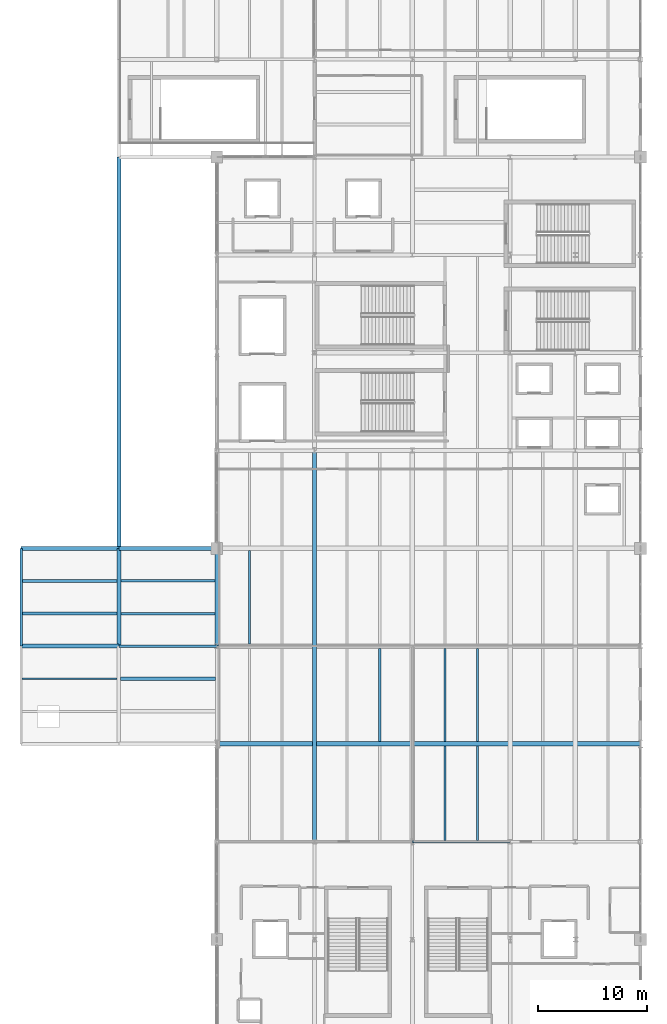
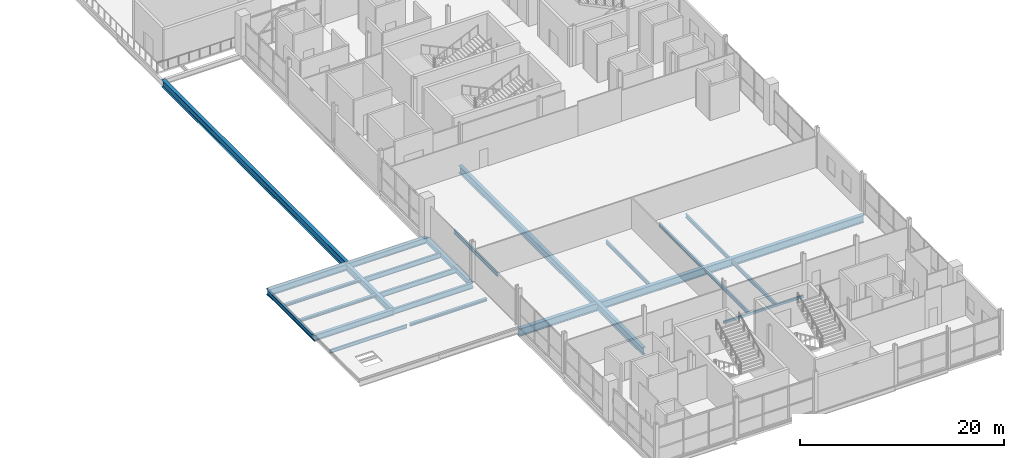
# One storey, part 11 of 50: 23 beams.
"""IFC4 building model written with IfcOpenShell, lengths in metres."""

from ifc_helpers import new_model, si_unit, direction, frame, origin, origin_2d, place, context, subcontext, project, spatial, hollow_rectangle, i_section, extrude, material, material_profile, profile_set, type_object, element, save


model = new_model("IFC4")

# Units and contexts
model_context = context("Model", 3, precision=1e-05, world=origin(), true_north=direction((0.0, 1.0)))
body_context = subcontext(model_context, "Body", "Model", "MODEL_VIEW")
ifc_project = project(units=[si_unit("LENGTHUNIT", "METRE"), si_unit("AREAUNIT", "SQUARE_METRE"), si_unit("VOLUMEUNIT", "CUBIC_METRE"), si_unit("PLANEANGLEUNIT", "RADIAN"), si_unit("MASSUNIT", "GRAM", prefix="KILO")], contexts=[model_context])

# Site, building, storey
site_placement = place(None, origin())
site = spatial("IfcSite", under=ifc_project, at=site_placement, CompositionType="ELEMENT")
building_placement = place(site_placement, origin())
building = spatial("IfcBuilding", under=site, at=building_placement, Name="Qamarlyn Nura Convention Centre", CompositionType="ELEMENT")
storey_placement = place(building_placement, frame((0.0, 0.0, 20.39990234375)))
storey = spatial("IfcBuildingStorey", under=building, at=storey_placement, Name="L04", CompositionType="ELEMENT", Elevation=20.39990234375)

# Beams
ifc_material_1 = material(Name="Steel ASTM A992", Category="steel")
ifc_material_profile_1 = material_profile(ifc_material_1, i_section(OverallWidth=0.323974609375, OverallDepth=0.611083984375, WebThickness=0.0126953125, FlangeThickness=0.01904296875, FilletRadius=0.01611328125, at=origin_2d()), Name="W610X155")
ifc_profile_set_1 = profile_set([ifc_material_profile_1], Name="Steel ASTM A992")
beam_type_1 = type_object("IfcBeamType", Name="BM-GIRD-610", PredefinedType="BEAM", material=ifc_profile_set_1)
beam_1_placement = place(storey_placement, frame((153.0, 36.0, -0.50537109375), z_axis=(0.0, 1.0, 0.0), x_axis=(-1.0, 0.0, 0.0)))
element("IfcBeam", 1, at=beam_1_placement, inside=storey, type_object=beam_type_1, Name="L04 girder 13 E-F", PredefinedType="BEAM", context=body_context, shape_type="SweptSolid", body=[
    extrude(i_section(OverallWidth=0.323974609375, OverallDepth=0.611083984375, WebThickness=0.0126953125, FlangeThickness=0.01904296875, FilletRadius=0.01611328125, at=origin_2d()), origin(), (0.0, 0.0, 1.0), 9.0),
])
ifc_material_profile_2 = material_profile(ifc_material_1, i_section(OverallWidth=0.35498046875, OverallDepth=0.695068359375, WebThickness=0.015380859375, FlangeThickness=0.02490234375, FilletRadius=0.01806640625, at=origin_2d()), Name="W690X217")
ifc_profile_set_2 = profile_set([ifc_material_profile_2], Name="Steel ASTM A992")
beam_type_2 = type_object("IfcBeamType", Name="BM-GIRD-690A", PredefinedType="BEAM", material=ifc_profile_set_2)
for number, where, z_axis, x_axis, name in (
    (2, (135.0, 36.0, -0.50732421875), (1.0, 0.0, 0.0), (0.0, 1.0, 0.0), "L04 girder E 11-12"),
    (3, (144.0, 45.0, -0.50732421875), (1.0, 0.0, 0.0), (0.0, 1.0, 0.0), "L04 girder F 12-13"),
):
    element("IfcBeam", number, at=place(storey_placement, frame(where, z_axis=z_axis, x_axis=x_axis)), inside=storey, type_object=beam_type_2, Name=name, PredefinedType="BEAM", context=body_context, shape_type="SweptSolid", body=[
        extrude(i_section(OverallWidth=0.35498046875, OverallDepth=0.695068359375, WebThickness=0.015380859375, FlangeThickness=0.02490234375, FilletRadius=0.01806640625, at=origin_2d()), origin(), (0.0, 0.0, 1.0), 9.0),
    ])
ifc_material_profile_3 = material_profile(ifc_material_1, i_section(OverallWidth=0.25390625, OverallDepth=0.68408203125, WebThickness=0.012451171875, FlangeThickness=0.01904296875, FilletRadius=0.01806640625, at=origin_2d()), Name="W690X140")
ifc_profile_set_3 = profile_set([ifc_material_profile_3], Name="Steel ASTM A992")
beam_type_3 = type_object("IfcBeamType", Name="BM-GIRD-690B", PredefinedType="BEAM", material=ifc_profile_set_3)
beam_2_placement = place(storey_placement, frame((144.0, 36.0, -0.501953125), z_axis=(1.0, 0.0, 0.0), x_axis=(0.0, 1.0, 0.0)))
element("IfcBeam", 4, at=beam_2_placement, inside=storey, type_object=beam_type_3, Name="L04 girder E 12-13", PredefinedType="BEAM", context=body_context, shape_type="SweptSolid", body=[
    extrude(i_section(OverallWidth=0.25390625, OverallDepth=0.68408203125, WebThickness=0.012451171875, FlangeThickness=0.01904296875, FilletRadius=0.01806640625, at=origin_2d()), origin(), (0.0, 0.0, 1.0), 9.0),
])
ifc_material_profile_4 = material_profile(ifc_material_1, i_section(OverallWidth=0.381103515625, OverallDepth=0.77294921875, WebThickness=0.0166015625, FlangeThickness=0.027587890625, FilletRadius=0.02001953125, at=origin_2d()), Name="W760X257")
ifc_profile_set_4 = profile_set([ifc_material_profile_4], Name="Steel ASTM A992")
beam_type_4 = type_object("IfcBeamType", Name="BM-GIRD-760", PredefinedType="BEAM", material=ifc_profile_set_4)
for number, where, z_axis, x_axis, name in (
    (5, (135.0, 45.0, -0.54638671875), (1.0, 0.0, 0.0), (0.0, 1.0, 0.0), "L04 girder F 11-12"),
    (6, (144.0, 36.0, -0.54638671875), (0.0, 1.0, 0.0), (-1.0, 0.0, 0.0), "L04 girder 12 E-F"),
):
    element("IfcBeam", number, at=place(storey_placement, frame(where, z_axis=z_axis, x_axis=x_axis)), inside=storey, type_object=beam_type_4, Name=name, PredefinedType="BEAM", context=body_context, shape_type="SweptSolid", body=[
        extrude(i_section(OverallWidth=0.381103515625, OverallDepth=0.77294921875, WebThickness=0.0166015625, FlangeThickness=0.027587890625, FilletRadius=0.02001953125, at=origin_2d()), origin(), (0.0, 0.0, 1.0), 9.0),
    ])
ifc_material_profile_5 = material_profile(ifc_material_1, i_section(OverallWidth=0.39990234375, OverallDepth=0.85498046875, WebThickness=0.018310546875, FlangeThickness=0.029296875, FilletRadius=0.02197265625, at=origin_2d()), Name="W840X299")
ifc_profile_set_5 = profile_set([ifc_material_profile_5], Name="Steel ASTM A992")
beam_type_5 = type_object("IfcBeamType", Name="BM-GIRD-840", PredefinedType="BEAM", material=ifc_profile_set_5)
for number, where, z_axis, x_axis, name in (
    (7, (144.0, 45.0, -0.427490234375), (0.0, 1.0, 0.0), (-1.0, 0.0, 0.0), "L04 girder 12 F-K"),
    (8, (162.0, 18.0, -0.62744140625), (0.0, 1.0, 0.0), (-1.0, 0.0, 0.0), "L04 girder 14 C-G"),
):
    element("IfcBeam", number, at=place(storey_placement, frame(where, z_axis=z_axis, x_axis=x_axis)), inside=storey, type_object=beam_type_5, Name=name, PredefinedType="BEAM", context=body_context, shape_type="SweptSolid", body=[
        extrude(i_section(OverallWidth=0.39990234375, OverallDepth=0.85498046875, WebThickness=0.018310546875, FlangeThickness=0.029296875, FilletRadius=0.02197265625, at=origin_2d()), origin(), (0.0, 0.0, 1.0), 36.0),
    ])
ifc_material_profile_6 = material_profile(ifc_material_1, i_section(OverallWidth=0.41796875, OverallDepth=0.912109375, WebThickness=0.019287109375, FlangeThickness=0.031982421875, FilletRadius=0.02392578125, at=origin_2d()), Name="W920X342")
ifc_profile_set_6 = profile_set([ifc_material_profile_6], Name="Steel ASTM A992")
beam_type_6 = type_object("IfcBeamType", Name="BM-GIRD-920", PredefinedType="BEAM", material=ifc_profile_set_6)
beam_3_placement = place(storey_placement, frame((153.0, 27.0, -0.656005859375), z_axis=(1.0, 0.0, 0.0), x_axis=(0.0, 1.0, 0.0)))
element("IfcBeam", 9, at=beam_3_placement, inside=storey, type_object=beam_type_6, Name="L04 girder D 13-18", PredefinedType="BEAM", context=body_context, shape_type="SweptSolid", body=[
    extrude(i_section(OverallWidth=0.41796875, OverallDepth=0.912109375, WebThickness=0.019287109375, FlangeThickness=0.031982421875, FilletRadius=0.02392578125, at=origin_2d()), origin(), (0.0, 0.0, 1.0), 39.0),
])
ifc_material_profile_7 = material_profile(ifc_material_1, i_section(OverallWidth=0.304931640625, OverallDepth=0.30810546875, WebThickness=0.010009765625, FlangeThickness=0.015380859375, FilletRadius=0.014892578125, at=origin_2d()), Name="W310X97")
ifc_profile_set_7 = profile_set([ifc_material_profile_7], Name="Steel ASTM A992")
beam_type_7 = type_object("IfcBeamType", Name="BM-JOIST-310", PredefinedType="JOIST", material=ifc_profile_set_7)
for number, where, z_axis, x_axis, name in (
    (10, (135.10546875, 39.0, -0.31396484375), (1.0, 0.0, 0.0), (0.0, 1.0, 0.0), "L04 composite joist 11-12/E+1"),
    (11, (135.10546875, 42.0, -0.31396484375), (1.0, 0.0, 0.0), (0.0, 1.0, 0.0), "L04 composite joist 11-12/E+2"),
):
    element("IfcBeam", number, at=place(storey_placement, frame(where, z_axis=z_axis, x_axis=x_axis)), inside=storey, type_object=beam_type_7, Name=name, PredefinedType="JOIST", context=body_context, shape_type="SweptSolid", body=[
        extrude(i_section(OverallWidth=0.304931640625, OverallDepth=0.30810546875, WebThickness=0.010009765625, FlangeThickness=0.015380859375, FilletRadius=0.014892578125, at=origin_2d()), origin(), (0.0, 0.0, 1.0), 8.7041015625),
    ])
beam_4_placement = place(storey_placement, frame((144.162109375, 33.0, -0.31396484375), z_axis=(1.0, 0.0, 0.0), x_axis=(0.0, 1.0, 0.0)))
element("IfcBeam", 12, at=beam_4_placement, inside=storey, type_object=beam_type_7, Name="L04 composite joist 12-13/D+2", PredefinedType="JOIST", context=body_context, shape_type="SweptSolid", body=[
    extrude(i_section(OverallWidth=0.304931640625, OverallDepth=0.30810546875, WebThickness=0.010009765625, FlangeThickness=0.015380859375, FilletRadius=0.014892578125, at=origin_2d()), origin(), (0.0, 0.0, 1.0), 8.7109375),
])
ifc_material_profile_8 = material_profile(ifc_material_1, i_section(OverallWidth=0.177978515625, OverallDepth=0.406982421875, WebThickness=0.0078125, FlangeThickness=0.0126953125, FilletRadius=0.011962890625, at=origin_2d()), Name="W410X60")
ifc_profile_set_8 = profile_set([ifc_material_profile_8], Name="Steel ASTM A992")
beam_type_8 = type_object("IfcBeamType", Name="BM-JOIST-410", PredefinedType="JOIST", material=ifc_profile_set_8)
beam_5_placement = place(storey_placement, frame((135.10009765625, 33.0, -0.36328125), z_axis=(1.0, 0.0, 0.0), x_axis=(0.0, 1.0, 0.0)))
element("IfcBeam", 13, at=beam_5_placement, inside=storey, type_object=beam_type_8, Name="L04 composite joist 11-12/D+2", PredefinedType="JOIST", context=body_context, shape_type="SweptSolid", body=[
    extrude(i_section(OverallWidth=0.177978515625, OverallDepth=0.406982421875, WebThickness=0.0078125, FlangeThickness=0.0126953125, FilletRadius=0.011962890625, at=origin_2d()), origin(), (0.0, 0.0, 1.0), 8.73779296875),
])
ifc_material_profile_9 = material_profile(ifc_material_1, i_section(OverallWidth=0.18994140625, OverallDepth=0.45703125, WebThickness=0.009033203125, FlangeThickness=0.014404296875, FilletRadius=0.012939453125, at=origin_2d()), Name="W460X74")
ifc_profile_set_9 = profile_set([ifc_material_profile_9], Name="Steel ASTM A992")
beam_type_9 = type_object("IfcBeamType", Name="BM-JOIST-460", PredefinedType="JOIST", material=ifc_profile_set_9)
for number, where, z_axis, x_axis, name in (
    (14, (156.0, 36.208984375, -0.428466796875), (0.0, 1.0, 0.0), (-1.0, 0.0, 0.0), "L04 secondary joist 13-14/E-F-12"),
    (15, (168.0, 27.208984375, -0.428466796875), (0.0, 1.0, 0.0), (-1.0, 0.0, 0.0), "L04 secondary joist 14-15/D-E-27"),
):
    element("IfcBeam", number, at=place(storey_placement, frame(where, z_axis=z_axis, x_axis=x_axis)), inside=storey, type_object=beam_type_9, Name=name, PredefinedType="JOIST", context=body_context, shape_type="SweptSolid", body=[
        extrude(i_section(OverallWidth=0.18994140625, OverallDepth=0.45703125, WebThickness=0.009033203125, FlangeThickness=0.014404296875, FilletRadius=0.012939453125, at=origin_2d()), origin(), (0.0, 0.0, 1.0), 8.58203125),
    ])
for number, where, z_axis, x_axis, name in (
    (16, (174.0, 18.10009765625, -0.428466796875), (0.0, 1.0, 0.0), (-1.0, 0.0, 0.0), "L04 secondary joist 15-16/C-D-38"),
    (17, (177.0, 18.10009765625, -0.428466796875), (0.0, 1.0, 0.0), (-1.0, 0.0, 0.0), "L04 secondary joist 15-16/C-D-39"),
):
    element("IfcBeam", number, at=place(storey_placement, frame(where, z_axis=z_axis, x_axis=x_axis)), inside=storey, type_object=beam_type_9, Name=name, PredefinedType="JOIST", context=body_context, shape_type="SweptSolid", body=[
        extrude(i_section(OverallWidth=0.18994140625, OverallDepth=0.45703125, WebThickness=0.009033203125, FlangeThickness=0.014404296875, FilletRadius=0.012939453125, at=origin_2d()), origin(), (0.0, 0.0, 1.0), 8.69091796875),
    ])
for number, where, z_axis, x_axis, name in (
    (18, (174.0, 27.208984375, -0.428466796875), (0.0, 1.0, 0.0), (-1.0, 0.0, 0.0), "L04 secondary joist 15-16/D-E-40"),
    (19, (177.0, 27.208984375, -0.428466796875), (0.0, 1.0, 0.0), (-1.0, 0.0, 0.0), "L04 secondary joist 15-16/D-E-41"),
):
    element("IfcBeam", number, at=place(storey_placement, frame(where, z_axis=z_axis, x_axis=x_axis)), inside=storey, type_object=beam_type_9, Name=name, PredefinedType="JOIST", context=body_context, shape_type="SweptSolid", body=[
        extrude(i_section(OverallWidth=0.18994140625, OverallDepth=0.45703125, WebThickness=0.009033203125, FlangeThickness=0.014404296875, FilletRadius=0.012939453125, at=origin_2d()), origin(), (0.0, 0.0, 1.0), 8.58203125),
    ])
ifc_material_profile_10 = material_profile(ifc_material_1, i_section(OverallWidth=0.22802734375, OverallDepth=0.60791015625, WebThickness=0.01123046875, FlangeThickness=0.017333984375, FilletRadius=0.01611328125, at=origin_2d()), Name="W610X113")
ifc_profile_set_10 = profile_set([ifc_material_profile_10], Name="Steel ASTM A992")
beam_type_10 = type_object("IfcBeamType", Name="BM-JOIST-610", PredefinedType="JOIST", material=ifc_profile_set_10)
for number, where, z_axis, x_axis, name in (
    (20, (144.1904296875, 39.0, -0.4638671875), (1.0, 0.0, 0.0), (0.0, 1.0, 0.0), "L04 composite joist 12-13/E+1"),
    (21, (144.1904296875, 42.0, -0.4638671875), (1.0, 0.0, 0.0), (0.0, 1.0, 0.0), "L04 composite joist 12-13/E+2"),
):
    element("IfcBeam", number, at=place(storey_placement, frame(where, z_axis=z_axis, x_axis=x_axis)), inside=storey, type_object=beam_type_10, Name=name, PredefinedType="JOIST", context=body_context, shape_type="SweptSolid", body=[
        extrude(i_section(OverallWidth=0.22802734375, OverallDepth=0.60791015625, WebThickness=0.01123046875, FlangeThickness=0.017333984375, FilletRadius=0.01611328125, at=origin_2d()), origin(), (0.0, 0.0, 1.0), 8.6474609375),
    ])
ifc_material_profile_11 = material_profile(ifc_material_1, i_section(OverallWidth=0.2109375, OverallDepth=0.5390625, WebThickness=0.01171875, FlangeThickness=0.018798828125, FilletRadius=0.013916015625, at=origin_2d()), Name="W530X109")
ifc_profile_set_11 = profile_set([ifc_material_profile_11], Name="Steel ASTM A992")
beam_type_11 = type_object("IfcBeamType", Name="BM-SPAN-530", PredefinedType="SPANDREL", material=ifc_profile_set_11)
beam_6_placement = place(storey_placement, frame((135.0, 36.0, -0.429443359375), z_axis=(0.0, 1.0, 0.0), x_axis=(-1.0, 0.0, 0.0)))
element("IfcBeam", 22, at=beam_6_placement, inside=storey, type_object=beam_type_11, Name="L04 girder 11 E-F", PredefinedType="SPANDREL", context=body_context, shape_type="SweptSolid", body=[
    extrude(i_section(OverallWidth=0.2109375, OverallDepth=0.5390625, WebThickness=0.01171875, FlangeThickness=0.018798828125, FilletRadius=0.013916015625, at=origin_2d()), origin(), (0.0, 0.0, 1.0), 9.0),
])
ifc_material_2 = material(Name="Steel ASTM A500 Grade C", Category="steel")
ifc_material_profile_12 = material_profile(ifc_material_2, hollow_rectangle(XDim=0.199951171875, YDim=0.300048828125, WallThickness=0.012451171875, InnerFilletRadius=0.012451171875, OuterFilletRadius=0.02490234375, at=origin_2d()), Name="HSS300X200X12.5")
ifc_profile_set_12 = profile_set([ifc_material_profile_12], Name="Steel ASTM A500 Grade C")
beam_type_12 = type_object("IfcBeamType", Name="BM-SPAN-HSS", PredefinedType="SPANDREL", material=ifc_profile_set_12)
beam_7_placement = place(storey_placement, frame((171.0, 18.0, -0.349853515625), z_axis=(1.0, 0.0, 0.0), x_axis=(0.0, 1.0, 0.0)))
element("IfcBeam", 23, at=beam_7_placement, inside=storey, type_object=beam_type_12, Name="L04 girder C 15-16", PredefinedType="SPANDREL", context=body_context, shape_type="SweptSolid", body=[
    extrude(hollow_rectangle(XDim=0.199951171875, YDim=0.300048828125, WallThickness=0.012451171875, InnerFilletRadius=0.012451171875, OuterFilletRadius=0.02490234375, at=origin_2d()), origin(), (0.0, 0.0, 1.0), 9.0),
])

save(model, "model.ifc")
